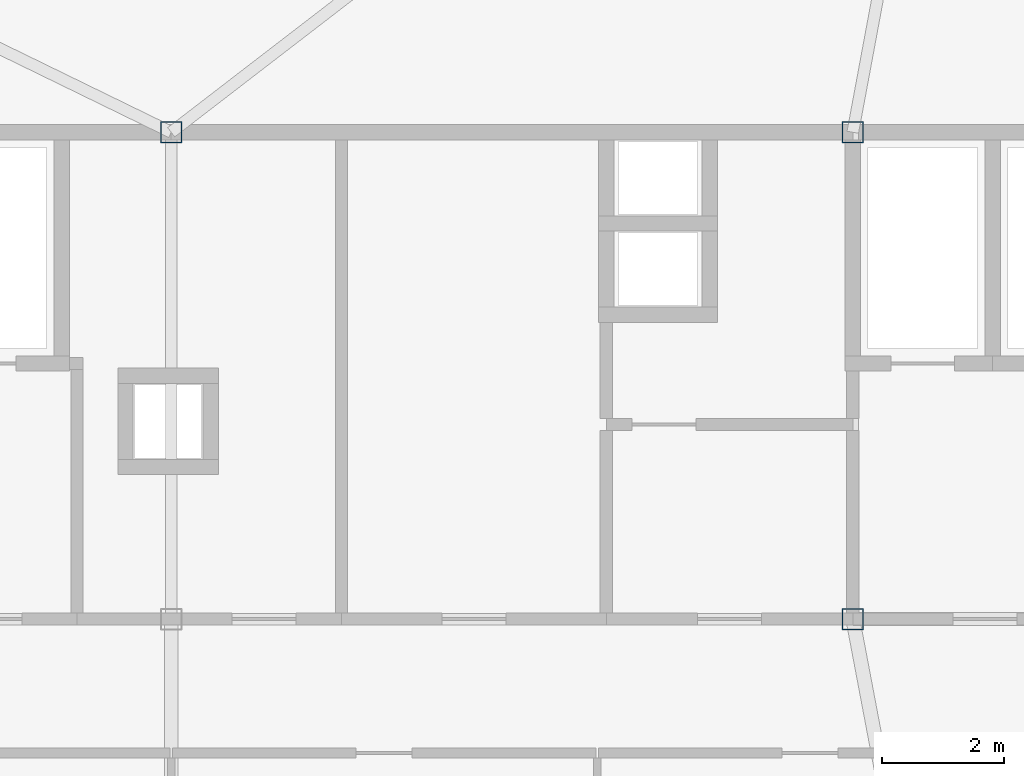
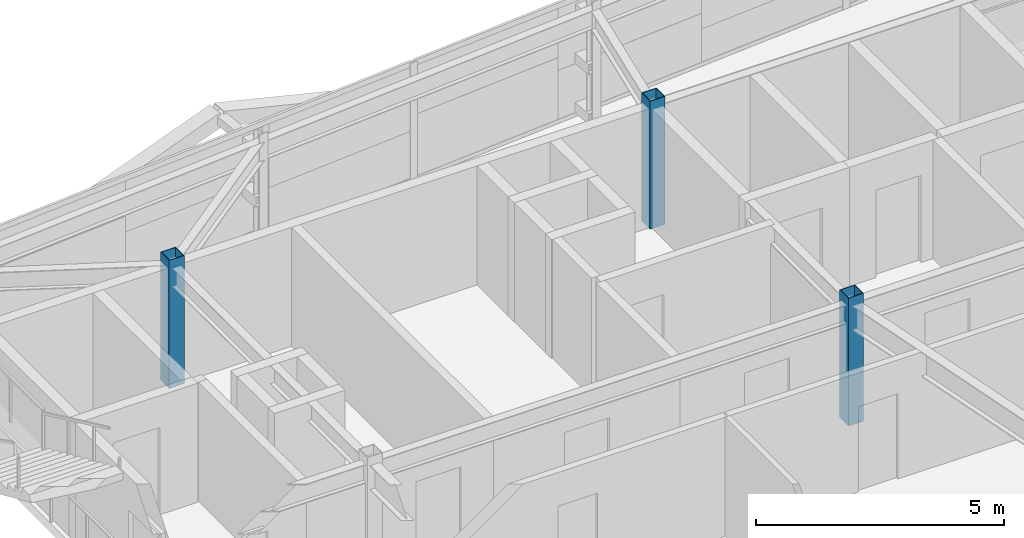
# One storey, part 3 of 39: 3 columns.
"""IFC4 building model written with IfcOpenShell, lengths in metres."""

import ifcopenshell
import ifcopenshell.guid

model = None  # the IFC model being written
_history = None  # IfcOwnerHistory: only IFC2X3 demands one
_inside = {}  # id of a spatial element -> (the spatial element, [elements in it])
_under = {}  # id of a project, library or spatial element -> (it, [spatial elements below it])
_declared = {}  # id of a project -> (the project, [libraries it declares])
_typed = {}  # id of a type object -> (the type object, [elements of that type])
_made_of = {}  # id of a material, layer set ... -> (it, [elements and type objects made of it])


def new_model(schema):
    """Start an empty IFC model of exactly this schema.

    Asked for "IFC4X3", IfcOpenShell would pick the latest addendum, in which some entities
    have other attributes; the version numbers below select the first issue.
    IFC2X3 requires an IfcOwnerHistory on every rooted entity: one is made here for all.
    """
    global model, _history
    if schema == "IFC4X3":
        model = ifcopenshell.file(schema_version=(4, 3, 0, 0))
    else:
        model = ifcopenshell.file(schema=schema)
    _inside.clear()
    _under.clear()
    _declared.clear()
    _typed.clear()
    _made_of.clear()
    _history = None
    if model.schema == "IFC2X3":
        org = make("IfcOrganization", Name="unknown")
        user = make(
            "IfcPersonAndOrganization",
            ThePerson=make("IfcPerson", FamilyName="unknown"),
            TheOrganization=org,
        )
        app = make(
            "IfcApplication",
            ApplicationDeveloper=org,
            Version="unknown",
            ApplicationFullName="unknown",
            ApplicationIdentifier="unknown",
        )
        _history = make(
            "IfcOwnerHistory",
            OwningUser=user,
            OwningApplication=app,
            ChangeAction="ADDED",
            CreationDate=0,
        )
    return model


def make(cls, **values):
    """One entity of the class cls with the attributes given. An attribute that is None is left unset."""
    return model.create_entity(
        cls, **{name: value for name, value in values.items() if value is not None}
    )


def rooted(cls, **values):
    """An entity with a GlobalId (a new one), such as an element, a storey or a relation."""
    return make(cls, GlobalId=ifcopenshell.guid.new(), OwnerHistory=_history, **values)


def si_unit(unit_type, name, prefix=None):
    """IfcSIUnit, for example si_unit("LENGTHUNIT", "METRE", prefix="MILLI")."""
    return make("IfcSIUnit", UnitType=unit_type, Prefix=prefix, Name=name)


def assignment(units):
    """IfcUnitAssignment: the units of a project."""
    return None if units is None else make("IfcUnitAssignment", Units=units)


def point(xyz):
    """IfcCartesianPoint."""
    return None if xyz is None else make("IfcCartesianPoint", Coordinates=xyz)


def direction(xyz):
    """IfcDirection."""
    return None if xyz is None else make("IfcDirection", DirectionRatios=xyz)


def frame(location, z_axis=None, x_axis=None):
    """IfcAxis2Placement3D, a coordinate frame: its origin and axes. An axis left out is left unset."""
    return make(
        "IfcAxis2Placement3D",
        Location=point(location),
        Axis=direction(z_axis),
        RefDirection=direction(x_axis),
    )


def frame_2d(location, x_axis=None):
    """IfcAxis2Placement2D, a coordinate frame in the plane: its origin and x axis."""
    return make(
        "IfcAxis2Placement2D", Location=point(location), RefDirection=direction(x_axis)
    )


def origin():
    """The frame at (0, 0, 0) with its axes left unset."""
    return frame((0.0, 0.0, 0.0))


def origin_2d():
    """The frame at (0, 0) in the plane with its x axis left unset."""
    return frame_2d((0.0, 0.0))


def place(relative_to, where):
    """IfcLocalPlacement: puts the frame where relative to a parent placement (None: the world)."""
    return make(
        "IfcLocalPlacement", PlacementRelTo=relative_to, RelativePlacement=where
    )


def context(
    kind, dimensions, precision=None, world=None, true_north=None, identifier=None
):
    """IfcGeometricRepresentationContext, for example the 3D "Model" context."""
    return make(
        "IfcGeometricRepresentationContext",
        ContextIdentifier=identifier,
        ContextType=kind,
        CoordinateSpaceDimension=dimensions,
        Precision=precision,
        WorldCoordinateSystem=world,
        TrueNorth=true_north,
    )


def subcontext(parent, identifier, kind, view, scale=None):
    """IfcGeometricRepresentationSubContext, for example "Body" below "Model"."""
    return make(
        "IfcGeometricRepresentationSubContext",
        ContextIdentifier=identifier,
        ContextType=kind,
        ParentContext=parent,
        TargetScale=scale,
        TargetView=view,
    )


def project(units=None, contexts=None):
    """IfcProject with its units and contexts."""
    return rooted(
        "IfcProject",
        Name="project",
        RepresentationContexts=contexts,
        UnitsInContext=assignment(units),
    )


def spatial(cls, under=None, at=None, **own):
    """A site, building, storey or space (cls), placed at a placement, below another one or the project."""
    s = rooted(cls, ObjectPlacement=at, **own)
    if under is not None:
        _under.setdefault(under.id(), (under, []))[1].append(s)
    return s


def profile(cls, at=None, kind="AREA", **sizes):
    """A parametric profile (cls). Its sizes go by their IFC names, for example OverallWidth=200.0."""
    return make(cls, ProfileType=kind, Position=at, **sizes)


def hollow_rectangle(**sizes):
    """IfcRectangleHollowProfileDef."""
    return profile("IfcRectangleHollowProfileDef", **sizes)


def extrude(swept, where, along, depth):
    """IfcExtrudedAreaSolid: the profile swept, set in the frame where, extruded along a direction by depth."""
    return make(
        "IfcExtrudedAreaSolid",
        SweptArea=swept,
        Position=where,
        ExtrudedDirection=direction(along),
        Depth=depth,
    )


def shape(context_of_items, identifier, shape_type, items):
    """IfcShapeRepresentation: the items that make up one representation, for example the "Body"."""
    return make(
        "IfcShapeRepresentation",
        ContextOfItems=context_of_items,
        RepresentationIdentifier=identifier,
        RepresentationType=shape_type,
        Items=items,
    )


def source(mapping_origin, context_of_items, identifier, shape_type, items):
    """IfcRepresentationMap: a shape defined once, which mapped items show again and again."""
    return make(
        "IfcRepresentationMap",
        MappingOrigin=mapping_origin,
        MappedRepresentation=shape(context_of_items, identifier, shape_type, items),
    )


def transform(
    local_origin,
    x_axis=None,
    y_axis=None,
    z_axis=None,
    scale=None,
    scale2=None,
    scale3=None,
    uniform=True,
):
    """IfcCartesianTransformationOperator3D, or its non-uniform kind. x_axis, y_axis, z_axis: its Axis1, 2, 3."""
    if uniform:
        return make(
            "IfcCartesianTransformationOperator3D",
            Axis1=direction(x_axis),
            Axis2=direction(y_axis),
            LocalOrigin=point(local_origin),
            Scale=scale,
            Axis3=direction(z_axis),
        )
    return make(
        "IfcCartesianTransformationOperator3DnonUniform",
        Axis1=direction(x_axis),
        Axis2=direction(y_axis),
        LocalOrigin=point(local_origin),
        Scale=scale,
        Axis3=direction(z_axis),
        Scale2=scale2,
        Scale3=scale3,
    )


def mapped(mapping_source, mapping_target):
    """IfcMappedItem: shows the shape of a source again, moved by a transform."""
    return make(
        "IfcMappedItem", MappingSource=mapping_source, MappingTarget=mapping_target
    )


def material(Name=None, Category=None):
    """IfcMaterial."""
    return make("IfcMaterial", Name=Name, Category=Category)


def material_profile(
    of_material, cross_section, Name=None, Category=None, Priority=None
):
    """IfcMaterialProfile: a cross section and its material."""
    return make(
        "IfcMaterialProfile",
        Name=Name,
        Material=of_material,
        Profile=cross_section,
        Priority=Priority,
        Category=Category,
    )


def profile_set(profiles, Name=None, composite=None):
    """IfcMaterialProfileSet."""
    return make(
        "IfcMaterialProfileSet",
        Name=Name,
        MaterialProfiles=profiles,
        CompositeProfile=composite,
    )


def made_of(thing, what):
    """Note that an element or type object is made of a material, layer set ...; save() writes the relation."""
    if what is not None:
        _made_of.setdefault(what.id(), (what, []))[1].append(thing)
    return thing


def type_object(cls, material=None, **own):
    """A type object (cls), such as IfcWallType, which elements share."""
    return made_of(rooted(cls, **own), material)


def element(
    cls,
    number,
    at=None,
    inside=None,
    cuts=None,
    type_object=None,
    material=None,
    context=None,
    identifier="Body",
    shape_type=None,
    held_by="IfcProductDefinitionShape",
    body=None,
    shapes=None,
    **own,
):
    """One element of the class cls, such as IfcWall. Its Tag is "e" and its number.

    at: its placement. inside: the storey or other place that contains it. cuts: it is an
    opening in that element (IfcRelVoidsElement). A single representation is given by context,
    identifier, shape_type and body (its items); several are given by shapes. held_by: the class
    of the entity that holds the representations. save() writes the other relations.
    """
    e = rooted(cls, Tag="e%d" % number, ObjectPlacement=at, **own)
    if body is not None:
        shapes = [shape(context, identifier, shape_type, body)]
    if shapes is not None:
        e.Representation = make(held_by, Representations=shapes)
    if inside is not None:
        _inside.setdefault(inside.id(), (inside, []))[1].append(e)
    if cuts is not None:
        rooted(
            "IfcRelVoidsElement", RelatingBuildingElement=cuts, RelatedOpeningElement=e
        )
    if type_object is not None:
        _typed.setdefault(type_object.id(), (type_object, []))[1].append(e)
    return made_of(e, material)


def aggregate(whole, parts):
    """IfcRelAggregates: a whole, such as a stair, and the parts it consists of."""
    return rooted("IfcRelAggregates", RelatingObject=whole, RelatedObjects=parts)


def save(model, path):
    """Write the relations noted so far, then the file.

    IfcRelAggregates (storeys below a building ...), IfcRelContainedInSpatialStructure (elements
    in a storey), IfcRelDefinesByType, IfcRelAssociatesMaterial and IfcRelDeclares: one each for
    every whole, place, type object, material and project.
    """
    for whole, parts in _under.values():
        aggregate(whole, parts)
    for where, things in _inside.values():
        rooted(
            "IfcRelContainedInSpatialStructure",
            RelatedElements=things,
            RelatingStructure=where,
        )
    for kind, things in _typed.values():
        rooted("IfcRelDefinesByType", RelatedObjects=things, RelatingType=kind)
    for what, things in _made_of.values():
        rooted("IfcRelAssociatesMaterial", RelatedObjects=things, RelatingMaterial=what)
    for by, libraries in _declared.values():
        rooted("IfcRelDeclares", RelatingContext=by, RelatedDefinitions=libraries)
    model.write(path)


model = new_model("IFC4")

# Units and contexts
model_context = context("Model", 3, precision=1e-05, world=origin(), true_north=direction((0.0, 1.0)))
body_context = subcontext(model_context, "Body", "Model", "MODEL_VIEW")
ifc_project = project(units=[si_unit("LENGTHUNIT", "METRE"), si_unit("AREAUNIT", "SQUARE_METRE"), si_unit("VOLUMEUNIT", "CUBIC_METRE"), si_unit("PLANEANGLEUNIT", "RADIAN"), si_unit("MASSUNIT", "GRAM", prefix="KILO")], contexts=[model_context])

# Site, building, storey
site_placement = place(None, origin())
site = spatial("IfcSite", under=ifc_project, at=site_placement, CompositionType="ELEMENT")
building_placement = place(site_placement, origin())
building = spatial("IfcBuilding", under=site, at=building_placement, Name="Taldren Reach Tower", CompositionType="ELEMENT")
storey_placement = place(building_placement, frame((0.0, 0.0, 175.699951171875)))
storey = spatial("IfcBuildingStorey", under=building, at=storey_placement, Name="L53", CompositionType="ELEMENT", Elevation=175.699951171875)

# Columns
ifc_material = material(Name="Steel Gr 450 (C450L0)", Category="steel")
ifc_material_profile = material_profile(ifc_material, hollow_rectangle(XDim=0.35009765625, YDim=0.35009765625, WallThickness=0.01611328125, at=origin_2d()), Name="350x350x16.0SHS")
ifc_profile_set = profile_set([ifc_material_profile], Name="Steel Gr 450 (C450L0)")
column_type = type_object("IfcColumnType", Name="COL-SHS350", PredefinedType="COLUMN", material=ifc_profile_set)
shared_shape = source(origin(), body_context, "Body", "SweptSolid", [
    extrude(hollow_rectangle(XDim=0.35009765625, YDim=0.35009765625, WallThickness=0.01611328125, at=origin_2d()), origin(), (0.0, 0.0, 1.0), 3.150146484375),
])
for number, where, z_axis, x_axis, name in (
    (1, (39.199951171875, 24.0, 0.0), (0.0, 0.0, 1.0), (1.0, 0.0, 0.0), "Mega column MC-C3 L53"),
    (2, (28.0, 32.0, 0.0), (0.0, 0.0, 1.0), (1.0, 0.0, 0.0), "Mega column MC-C6 L53"),
    (3, (39.199951171875, 32.0, 0.0), (0.0, 0.0, 1.0), (1.0, 0.0, 0.0), "Mega column MC-C7 L53"),
):
    element("IfcColumn", number, at=place(storey_placement, frame(where, z_axis=z_axis, x_axis=x_axis)), inside=storey, type_object=column_type, Name=name, PredefinedType="COLUMN", context=body_context, shape_type="MappedRepresentation", body=[
        mapped(shared_shape, transform((0.0, 0.0, 0.0), scale=1.0)),
    ])

save(model, "model.ifc")
